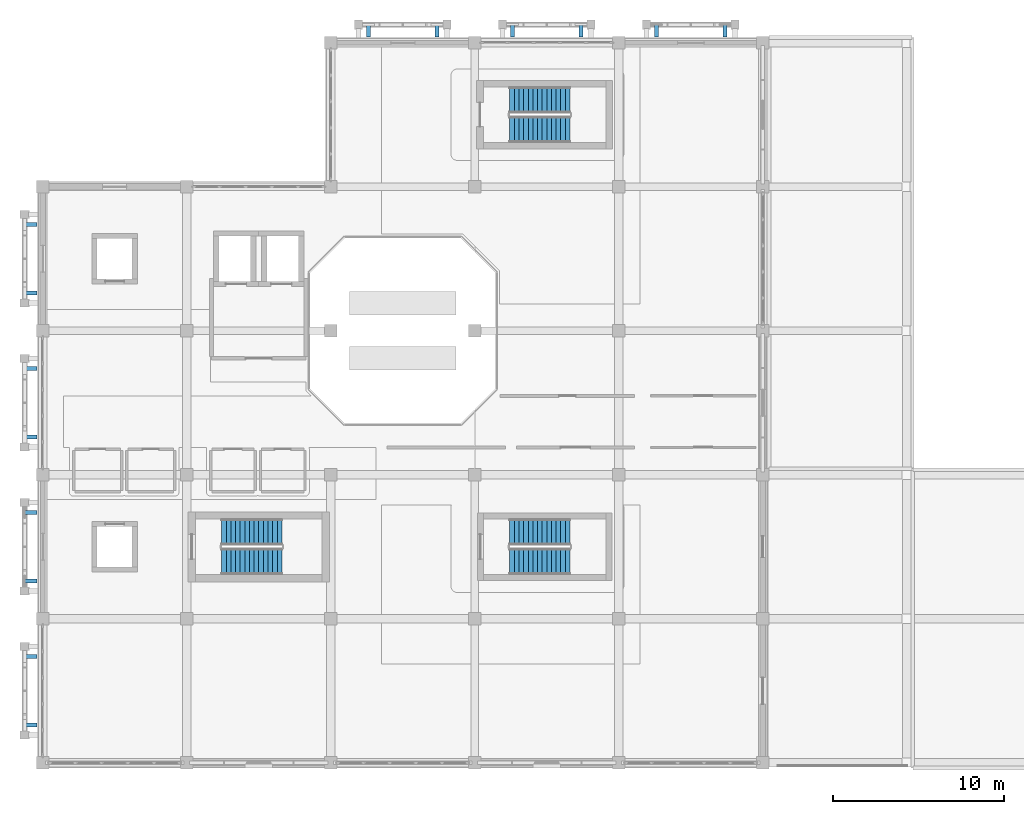
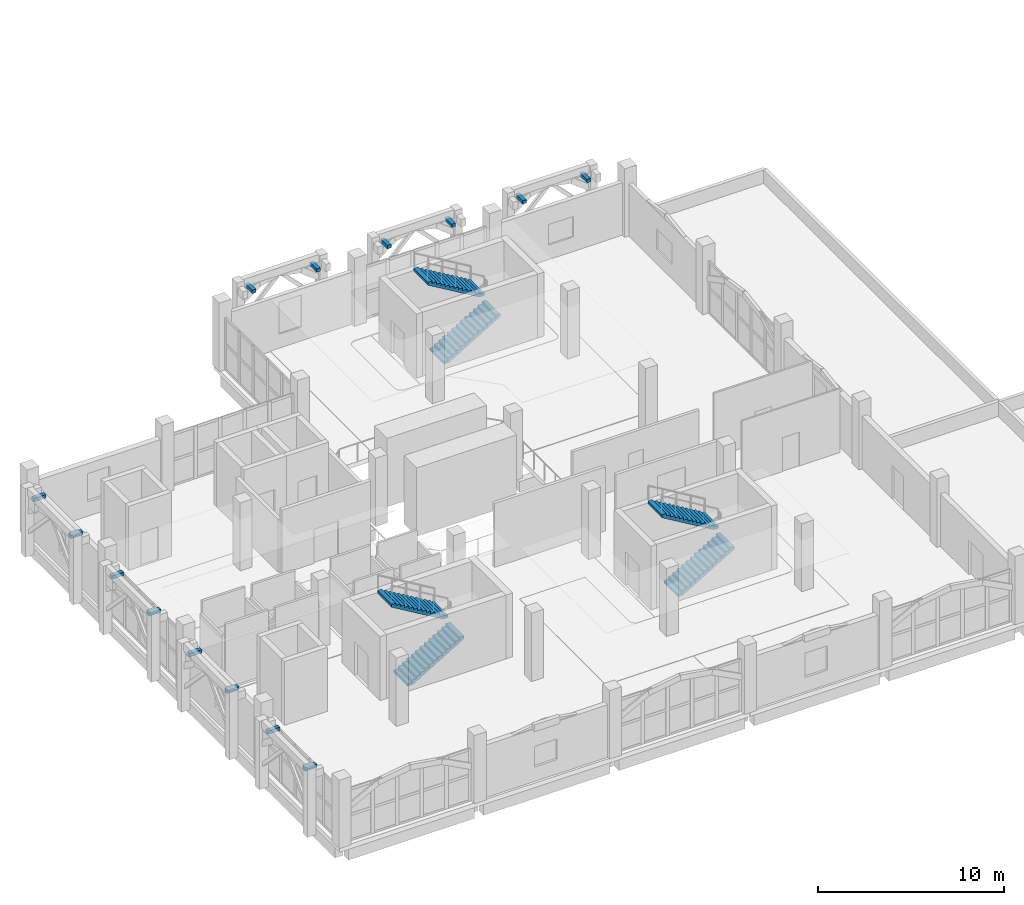
# One storey, part 29 of 34: 14 discrete accessories, 6 stair flights, 3 elements without a shape of their own.
"""IFC4 building model written with IfcOpenShell, lengths in metres."""

from ifc_helpers import new_model, si_unit, direction, frame, origin, origin_2d, place, context, subcontext, project, spatial, polyline, rectangle, outline, extrude, material, type_object, element, aggregate, save


model = new_model("IFC4")

# Units and contexts
model_context = context("Model", 3, precision=1e-05, world=origin(), true_north=direction((0.0, 1.0)))
body_context = subcontext(model_context, "Body", "Model", "MODEL_VIEW")
ifc_project = project(units=[si_unit("LENGTHUNIT", "METRE"), si_unit("AREAUNIT", "SQUARE_METRE"), si_unit("VOLUMEUNIT", "CUBIC_METRE"), si_unit("PLANEANGLEUNIT", "RADIAN"), si_unit("MASSUNIT", "GRAM", prefix="KILO")], contexts=[model_context])

# Site, building, storey
site_placement = place(None, origin())
site = spatial("IfcSite", under=ifc_project, at=site_placement, CompositionType="ELEMENT")
building_placement = place(site_placement, origin())
building = spatial("IfcBuilding", under=site, at=building_placement, Name="Xazarin Passage Department Store", CompositionType="ELEMENT")
storey_placement = place(building_placement, frame((0.0, 0.0, 18.89990234375)))
storey = spatial("IfcBuildingStorey", under=building, at=storey_placement, Name="L04", CompositionType="ELEMENT", Elevation=18.89990234375)

# Stair, stair flights
ifc_material_1 = material(Name="Concrete C35/45", Category="concrete")
stair_type = type_object("IfcStairType", Name="ARC-ST-TYP", PredefinedType="HALF_TURN_STAIR", material=ifc_material_1)
stair_1_placement = place(storey_placement, origin())
stair_1 = element("IfcStair", 1, at=stair_1_placement, inside=storey, type_object=stair_type, Name="L04 Exit Stair ST1", PredefinedType="HALF_TURN_STAIR")
stair_flight_type = type_object("IfcStairFlightType", Name="ARC-SFL-TYP", PredefinedType="STRAIGHT", material=ifc_material_1)
stair_flight_1_placement = place(storey_placement, frame((10.43994140625, 79.739990234375, 0.0), z_axis=(0.0, 0.0, 1.0), x_axis=(1.0, 0.0, 0.0)))
stair_flight_1 = element("IfcStairFlight", 2, at=stair_flight_1_placement, type_object=stair_flight_type, Name="ST1 flight 1", NumberOfRisers=14, NumberOfTreads=13, PredefinedType="STRAIGHT", RiserHeight=0.160714286, TreadLength=0.27, context=body_context, shape_type="SweptSolid", body=[
    extrude(outline(polyline([(0.0, 0.0), (0.0, 0.16064453125), (0.27001953125, 0.16064453125), (0.27001953125, 0.321533203125), (0.5400390625, 0.321533203125), (0.5400390625, 0.482177734375), (0.81005859375, 0.482177734375), (0.81005859375, 0.642822265625), (1.080078125, 0.642822265625), (1.080078125, 0.803466796875), (1.35009765625, 0.803466796875), (1.35009765625, 0.96435546875), (1.6201171875, 0.96435546875), (1.6201171875, 1.125), (1.889892578125, 1.125), (1.889892578125, 1.28564453125), (2.159912109375, 1.28564453125), (2.159912109375, 1.446533203125), (2.429931640625, 1.446533203125), (2.429931640625, 1.607177734375), (2.699951171875, 1.607177734375), (2.699951171875, 1.767822265625), (2.969970703125, 1.767822265625), (2.969970703125, 1.928466796875), (3.239990234375, 1.928466796875), (3.239990234375, 2.08935546875), (3.510009765625, 2.08935546875), (3.510009765625, 2.25), (3.510009765625, 1.903076171875), (0.312744140625, 0.0), (0.0, 0.0)])), frame((0.0, 0.760009765625, 0.0), z_axis=(0.0, -1.0, 0.0), x_axis=(1.0, 0.0, 0.0)), (0.0, 0.0, 1.0), 1.52001953125),
])
stair_flight_2_placement = place(storey_placement, frame((13.949951171875, 81.4599609375, 2.25), z_axis=(0.0, 0.0, 1.0), x_axis=(-1.0, 0.0, 0.0)))
stair_flight_2 = element("IfcStairFlight", 3, at=stair_flight_2_placement, type_object=stair_flight_type, Name="ST1 flight 2", NumberOfRisers=14, NumberOfTreads=13, PredefinedType="STRAIGHT", RiserHeight=0.160714286, TreadLength=0.27, context=body_context, shape_type="SweptSolid", body=[
    extrude(outline(polyline([(0.0, 0.0), (0.0, 0.16064453125), (0.27001953125, 0.16064453125), (0.27001953125, 0.321533203125), (0.5400390625, 0.321533203125), (0.5400390625, 0.482177734375), (0.81005859375, 0.482177734375), (0.81005859375, 0.642822265625), (1.080078125, 0.642822265625), (1.080078125, 0.803466796875), (1.35009765625, 0.803466796875), (1.35009765625, 0.96435546875), (1.6201171875, 0.96435546875), (1.6201171875, 1.125), (1.889892578125, 1.125), (1.889892578125, 1.28564453125), (2.159912109375, 1.28564453125), (2.159912109375, 1.446533203125), (2.429931640625, 1.446533203125), (2.429931640625, 1.607177734375), (2.699951171875, 1.607177734375), (2.699951171875, 1.767822265625), (2.969970703125, 1.767822265625), (2.969970703125, 1.928466796875), (3.239990234375, 1.928466796875), (3.239990234375, 2.08935546875), (3.510009765625, 2.08935546875), (3.510009765625, 2.25), (3.510009765625, 1.903076171875), (0.312744140625, 0.0), (0.0, 0.0)])), frame((0.0, 0.760009765625, 0.0), z_axis=(0.0, -1.0, 0.0), x_axis=(1.0, 0.0, 0.0)), (0.0, 0.0, 1.0), 1.52001953125),
])
aggregate(stair_1, [stair_flight_1, stair_flight_2])

stair_2_placement = place(storey_placement, origin())
stair_2 = element("IfcStair", 4, at=stair_2_placement, inside=storey, type_object=stair_type, Name="L04 Exit Stair ST2", PredefinedType="HALF_TURN_STAIR")
stair_flight_3_placement = place(storey_placement, frame((27.239990234375, 104.93994140625, 0.0), z_axis=(0.0, 0.0, 1.0), x_axis=(1.0, 0.0, 0.0)))
stair_flight_3 = element("IfcStairFlight", 5, at=stair_flight_3_placement, type_object=stair_flight_type, Name="ST2 flight 1", NumberOfRisers=14, NumberOfTreads=13, PredefinedType="STRAIGHT", RiserHeight=0.160714286, TreadLength=0.27, context=body_context, shape_type="SweptSolid", body=[
    extrude(outline(polyline([(0.0, 0.0), (0.0, 0.16064453125), (0.27001953125, 0.16064453125), (0.27001953125, 0.321533203125), (0.5400390625, 0.321533203125), (0.5400390625, 0.482177734375), (0.81005859375, 0.482177734375), (0.81005859375, 0.642822265625), (1.080078125, 0.642822265625), (1.080078125, 0.803466796875), (1.35009765625, 0.803466796875), (1.35009765625, 0.96435546875), (1.6201171875, 0.96435546875), (1.6201171875, 1.125), (1.889892578125, 1.125), (1.889892578125, 1.28564453125), (2.159912109375, 1.28564453125), (2.159912109375, 1.446533203125), (2.429931640625, 1.446533203125), (2.429931640625, 1.607177734375), (2.699951171875, 1.607177734375), (2.699951171875, 1.767822265625), (2.969970703125, 1.767822265625), (2.969970703125, 1.928466796875), (3.239990234375, 1.928466796875), (3.239990234375, 2.08935546875), (3.510009765625, 2.08935546875), (3.510009765625, 2.25), (3.510009765625, 1.903076171875), (0.312744140625, 0.0), (0.0, 0.0)])), frame((0.0, 0.760009765625, 0.0), z_axis=(0.0, -1.0, 0.0), x_axis=(1.0, 0.0, 0.0)), (0.0, 0.0, 1.0), 1.52001953125),
])
stair_flight_4_placement = place(storey_placement, frame((30.75, 106.659912109375, 2.25), z_axis=(0.0, 0.0, 1.0), x_axis=(-1.0, 0.0, 0.0)))
stair_flight_4 = element("IfcStairFlight", 6, at=stair_flight_4_placement, type_object=stair_flight_type, Name="ST2 flight 2", NumberOfRisers=14, NumberOfTreads=13, PredefinedType="STRAIGHT", RiserHeight=0.160714286, TreadLength=0.27, context=body_context, shape_type="SweptSolid", body=[
    extrude(outline(polyline([(0.0, 0.0), (0.0, 0.16064453125), (0.27001953125, 0.16064453125), (0.27001953125, 0.321533203125), (0.5400390625, 0.321533203125), (0.5400390625, 0.482177734375), (0.81005859375, 0.482177734375), (0.81005859375, 0.642822265625), (1.080078125, 0.642822265625), (1.080078125, 0.803466796875), (1.35009765625, 0.803466796875), (1.35009765625, 0.96435546875), (1.6201171875, 0.96435546875), (1.6201171875, 1.125), (1.889892578125, 1.125), (1.889892578125, 1.28564453125), (2.159912109375, 1.28564453125), (2.159912109375, 1.446533203125), (2.429931640625, 1.446533203125), (2.429931640625, 1.607177734375), (2.699951171875, 1.607177734375), (2.699951171875, 1.767822265625), (2.969970703125, 1.767822265625), (2.969970703125, 1.928466796875), (3.239990234375, 1.928466796875), (3.239990234375, 2.08935546875), (3.510009765625, 2.08935546875), (3.510009765625, 2.25), (3.510009765625, 1.903076171875), (0.312744140625, 0.0), (0.0, 0.0)])), frame((0.0, 0.760009765625, 0.0), z_axis=(0.0, -1.0, 0.0), x_axis=(1.0, 0.0, 0.0)), (0.0, 0.0, 1.0), 1.52001953125),
])
aggregate(stair_2, [stair_flight_3, stair_flight_4])

stair_3_placement = place(storey_placement, origin())
stair_3 = element("IfcStair", 7, at=stair_3_placement, inside=storey, type_object=stair_type, Name="L04 Exit Stair ST3", PredefinedType="HALF_TURN_STAIR")
stair_flight_5_placement = place(storey_placement, frame((27.239990234375, 79.739990234375, 0.0), z_axis=(0.0, 0.0, 1.0), x_axis=(1.0, 0.0, 0.0)))
stair_flight_5 = element("IfcStairFlight", 8, at=stair_flight_5_placement, type_object=stair_flight_type, Name="ST3 flight 1", NumberOfRisers=14, NumberOfTreads=13, PredefinedType="STRAIGHT", RiserHeight=0.160714286, TreadLength=0.27, context=body_context, shape_type="SweptSolid", body=[
    extrude(outline(polyline([(0.0, 0.0), (0.0, 0.16064453125), (0.27001953125, 0.16064453125), (0.27001953125, 0.321533203125), (0.5400390625, 0.321533203125), (0.5400390625, 0.482177734375), (0.81005859375, 0.482177734375), (0.81005859375, 0.642822265625), (1.080078125, 0.642822265625), (1.080078125, 0.803466796875), (1.35009765625, 0.803466796875), (1.35009765625, 0.96435546875), (1.6201171875, 0.96435546875), (1.6201171875, 1.125), (1.889892578125, 1.125), (1.889892578125, 1.28564453125), (2.159912109375, 1.28564453125), (2.159912109375, 1.446533203125), (2.429931640625, 1.446533203125), (2.429931640625, 1.607177734375), (2.699951171875, 1.607177734375), (2.699951171875, 1.767822265625), (2.969970703125, 1.767822265625), (2.969970703125, 1.928466796875), (3.239990234375, 1.928466796875), (3.239990234375, 2.08935546875), (3.510009765625, 2.08935546875), (3.510009765625, 2.25), (3.510009765625, 1.903076171875), (0.312744140625, 0.0), (0.0, 0.0)])), frame((0.0, 0.760009765625, 0.0), z_axis=(0.0, -1.0, 0.0), x_axis=(1.0, 0.0, 0.0)), (0.0, 0.0, 1.0), 1.52001953125),
])
stair_flight_6_placement = place(storey_placement, frame((30.75, 81.4599609375, 2.25), z_axis=(0.0, 0.0, 1.0), x_axis=(-1.0, 0.0, 0.0)))
stair_flight_6 = element("IfcStairFlight", 9, at=stair_flight_6_placement, type_object=stair_flight_type, Name="ST3 flight 2", NumberOfRisers=14, NumberOfTreads=13, PredefinedType="STRAIGHT", RiserHeight=0.160714286, TreadLength=0.27, context=body_context, shape_type="SweptSolid", body=[
    extrude(outline(polyline([(0.0, 0.0), (0.0, 0.16064453125), (0.27001953125, 0.16064453125), (0.27001953125, 0.321533203125), (0.5400390625, 0.321533203125), (0.5400390625, 0.482177734375), (0.81005859375, 0.482177734375), (0.81005859375, 0.642822265625), (1.080078125, 0.642822265625), (1.080078125, 0.803466796875), (1.35009765625, 0.803466796875), (1.35009765625, 0.96435546875), (1.6201171875, 0.96435546875), (1.6201171875, 1.125), (1.889892578125, 1.125), (1.889892578125, 1.28564453125), (2.159912109375, 1.28564453125), (2.159912109375, 1.446533203125), (2.429931640625, 1.446533203125), (2.429931640625, 1.607177734375), (2.699951171875, 1.607177734375), (2.699951171875, 1.767822265625), (2.969970703125, 1.767822265625), (2.969970703125, 1.928466796875), (3.239990234375, 1.928466796875), (3.239990234375, 2.08935546875), (3.510009765625, 2.08935546875), (3.510009765625, 2.25), (3.510009765625, 1.903076171875), (0.312744140625, 0.0), (0.0, 0.0)])), frame((0.0, 0.760009765625, 0.0), z_axis=(0.0, -1.0, 0.0), x_axis=(1.0, 0.0, 0.0)), (0.0, 0.0, 1.0), 1.52001953125),
])
aggregate(stair_3, [stair_flight_5, stair_flight_6])

# Discrete accessories
ifc_material_2 = material(Name="Steel S355", Category="steel")
discrete_accessory_type = type_object("IfcDiscreteAccessoryType", Name="ARC-BRK-S355-A", PredefinedType="BRACKET", material=ifc_material_2)
for number, where, z_axis, x_axis, name in (
    (10, (19.0, 110.699951171875, 3.84033203125), (0.0, 0.0, 1.0), (1.0, 0.0, 0.0), "L04 V1 Spandrel Tie Bracket 0009"),
    (11, (23.0, 110.699951171875, 3.84033203125), (0.0, 0.0, 1.0), (1.0, 0.0, 0.0), "L04 V1 Spandrel Tie Bracket 0010"),
    (12, (27.39990234375, 110.699951171875, 3.84033203125), (0.0, 0.0, 1.0), (1.0, 0.0, 0.0), "L04 V1 Spandrel Tie Bracket 0025"),
    (13, (31.39990234375, 110.699951171875, 3.84033203125), (0.0, 0.0, 1.0), (1.0, 0.0, 0.0), "L04 V1 Spandrel Tie Bracket 0026"),
    (14, (35.800048828125, 110.699951171875, 3.84033203125), (0.0, 0.0, 1.0), (1.0, 0.0, 0.0), "L04 V1 Spandrel Tie Bracket 0041"),
    (15, (39.800048828125, 110.699951171875, 3.84033203125), (0.0, 0.0, 1.0), (1.0, 0.0, 0.0), "L04 V1 Spandrel Tie Bracket 0042"),
    (16, (-0.699951171875, 70.199951171875, 3.84033203125), (0.0, 0.0, 1.0), (0.0, 1.0, 0.0), "L04 V1 Spandrel Tie Bracket 0091"),
    (17, (-0.699951171875, 74.199951171875, 3.84033203125), (0.0, 0.0, 1.0), (0.0, 1.0, 0.0), "L04 V1 Spandrel Tie Bracket 0092"),
    (18, (-0.699951171875, 78.60009765625, 3.84033203125), (0.0, 0.0, 1.0), (0.0, 1.0, 0.0), "L04 V1 Spandrel Tie Bracket 0101"),
    (19, (-0.699951171875, 82.60009765625, 3.84033203125), (0.0, 0.0, 1.0), (0.0, 1.0, 0.0), "L04 V1 Spandrel Tie Bracket 0102"),
    (20, (-0.699951171875, 87.0, 3.84033203125), (0.0, 0.0, 1.0), (0.0, 1.0, 0.0), "L04 V1 Spandrel Tie Bracket 0117"),
    (21, (-0.699951171875, 91.0, 3.84033203125), (0.0, 0.0, 1.0), (0.0, 1.0, 0.0), "L04 V1 Spandrel Tie Bracket 0118"),
    (22, (-0.699951171875, 95.39990234375, 3.84033203125), (0.0, 0.0, 1.0), (0.0, 1.0, 0.0), "L04 V1 Spandrel Tie Bracket 0133"),
    (23, (-0.699951171875, 99.39990234375, 3.84033203125), (0.0, 0.0, 1.0), (0.0, 1.0, 0.0), "L04 V1 Spandrel Tie Bracket 0134"),
):
    element("IfcDiscreteAccessory", number, at=place(storey_placement, frame(where, z_axis=z_axis, x_axis=x_axis)), inside=storey, type_object=discrete_accessory_type, Name=name, PredefinedType="BRACKET", context=body_context, shape_type="SweptSolid", body=[
        extrude(rectangle(XDim=0.239990234375, YDim=0.75, at=origin_2d()), origin(), (0.0, 0.0, 1.0), 0.219970703125),
    ])

save(model, "model.ifc")
